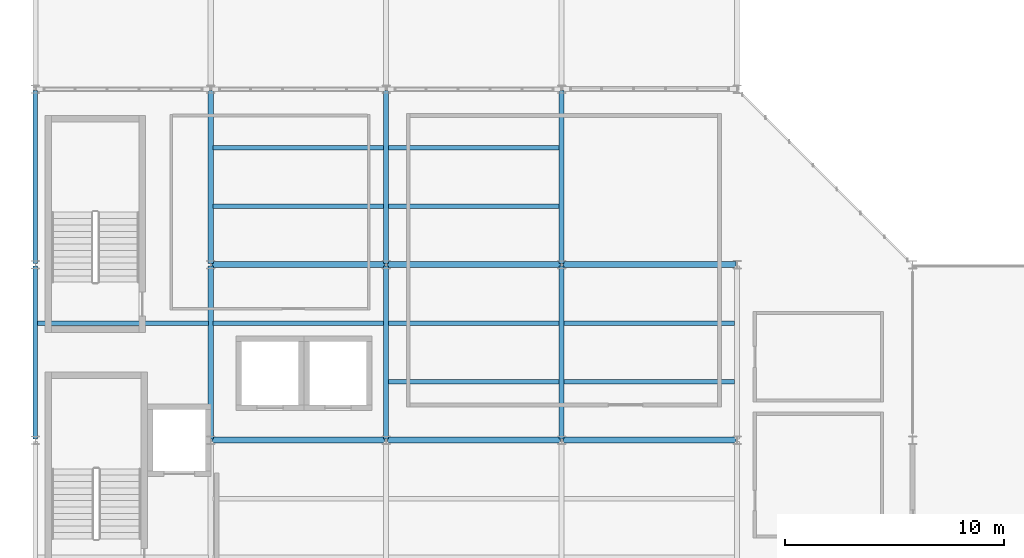
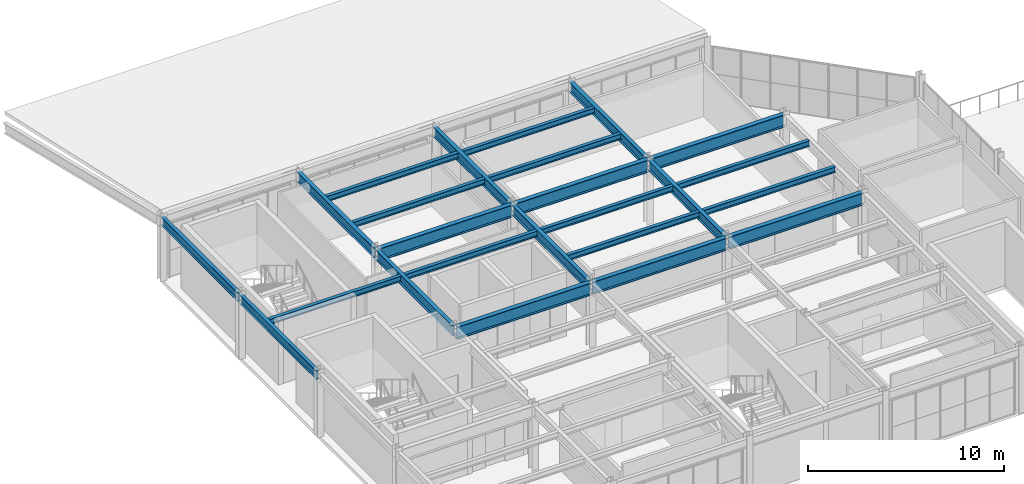
# One storey, part 3 of 27: 24 beams.
"""IFC4 building model written with IfcOpenShell, lengths in metres."""

from ifc_helpers import new_model, si_unit, direction, frame, origin, origin_2d, place, context, subcontext, project, spatial, i_section, extrude, material, material_profile, profile_set, type_object, element, save


model = new_model("IFC4")

# Units and contexts
model_context = context("Model", 3, precision=1e-05, world=origin(), true_north=direction((0.0, 1.0)))
body_context = subcontext(model_context, "Body", "Model", "MODEL_VIEW")
ifc_project = project(units=[si_unit("LENGTHUNIT", "METRE"), si_unit("AREAUNIT", "SQUARE_METRE"), si_unit("VOLUMEUNIT", "CUBIC_METRE"), si_unit("PLANEANGLEUNIT", "RADIAN"), si_unit("MASSUNIT", "GRAM", prefix="KILO")], contexts=[model_context])

# Site, building, storey
site_placement = place(None, origin())
site = spatial("IfcSite", under=ifc_project, at=site_placement, CompositionType="ELEMENT")
building_placement = place(site_placement, origin())
building = spatial("IfcBuilding", under=site, at=building_placement, Name="Drelvath Fold Interchange", CompositionType="ELEMENT")
storey_placement = place(building_placement, frame((0.0, 0.0, 19.800048828125)))
storey = spatial("IfcBuildingStorey", under=building, at=storey_placement, Name="L04", CompositionType="ELEMENT", Elevation=19.800048828125)

# Beams
ifc_material = material(Name="Steel ASTM A992 Grade 50", Category="steel")
ifc_material_profile_1 = material_profile(ifc_material, i_section(OverallWidth=0.205078125, OverallDepth=0.35400390625, WebThickness=0.009521484375, FlangeThickness=0.016845703125, at=origin_2d()), Name="W14X53")
ifc_profile_set_1 = profile_set([ifc_material_profile_1], Name="Steel ASTM A992 Grade 50")
beam_type_1 = type_object("IfcBeamType", Name="BM-W14X53", PredefinedType="JOIST", material=ifc_profile_set_1)
beam_placement = place(storey_placement, frame((4.10302734375, 24.3330078125, 3.807861328125), z_axis=(1.0, 0.0, 0.0), x_axis=(0.0, 1.0, 0.0)))
element("IfcBeam", 1, at=beam_placement, inside=storey, type_object=beam_type_1, Name="L04 Secondary floor joist BM-W14X53", PredefinedType="JOIST", context=body_context, shape_type="SweptSolid", body=[
    extrude(i_section(OverallWidth=0.205078125, OverallDepth=0.35400390625, WebThickness=0.009521484375, FlangeThickness=0.016845703125, at=origin_2d()), origin(), (0.0, 0.0, 1.0), 7.783935546875),
])
for number, where, z_axis, x_axis, name in (
    (2, (12.113037109375, 24.3330078125, 3.807861328125), (1.0, 0.0, 0.0), (0.0, 1.0, 0.0), "L04 Secondary floor joist BM-W14X53"),
    (3, (12.113037109375, 29.6669921875, 3.807861328125), (1.0, 0.0, 0.0), (0.0, 1.0, 0.0), "L04 Secondary floor joist BM-W14X53"),
    (4, (12.113037109375, 32.3330078125, 3.807861328125), (1.0, 0.0, 0.0), (0.0, 1.0, 0.0), "L04 Secondary floor joist BM-W14X53"),
    (5, (20.113037109375, 21.6669921875, 3.807861328125), (1.0, 0.0, 0.0), (0.0, 1.0, 0.0), "L04 Secondary floor joist BM-W14X53"),
    (6, (20.113037109375, 24.3330078125, 3.807861328125), (1.0, 0.0, 0.0), (0.0, 1.0, 0.0), "L04 Secondary floor joist BM-W14X53"),
    (7, (20.113037109375, 29.6669921875, 3.807861328125), (1.0, 0.0, 0.0), (0.0, 1.0, 0.0), "L04 Secondary floor joist BM-W14X53"),
    (8, (20.113037109375, 32.3330078125, 3.807861328125), (1.0, 0.0, 0.0), (0.0, 1.0, 0.0), "L04 Secondary floor joist BM-W14X53"),
    (9, (28.113037109375, 21.6669921875, 3.807861328125), (1.0, 0.0, 0.0), (0.0, 1.0, 0.0), "L04 Secondary floor joist BM-W14X53"),
    (10, (28.113037109375, 24.3330078125, 3.807861328125), (1.0, 0.0, 0.0), (0.0, 1.0, 0.0), "L04 Secondary floor joist BM-W14X53"),
):
    element("IfcBeam", number, at=place(storey_placement, frame(where, z_axis=z_axis, x_axis=x_axis)), inside=storey, type_object=beam_type_1, Name=name, PredefinedType="JOIST", context=body_context, shape_type="SweptSolid", body=[
        extrude(i_section(OverallWidth=0.205078125, OverallDepth=0.35400390625, WebThickness=0.009521484375, FlangeThickness=0.016845703125, at=origin_2d()), origin(), (0.0, 0.0, 1.0), 7.77392578125),
    ])
ifc_material_profile_2 = material_profile(ifc_material, i_section(OverallWidth=0.2099609375, OverallDepth=0.537109375, WebThickness=0.010986328125, FlangeThickness=0.017333984375, at=origin_2d()), Name="W21X68")
ifc_profile_set_2 = profile_set([ifc_material_profile_2], Name="Steel ASTM A992 Grade 50")
beam_type_2 = type_object("IfcBeamType", Name="BM-W21X68", PredefinedType="SPANDREL", material=ifc_profile_set_2)
for number, where, z_axis, x_axis, name in (
    (11, (4.0, 19.06005859375, 3.717041015625), (0.0, 1.0, 0.0), (-1.0, 0.0, 0.0), "L04 Primary Y girder BM-W21X68"),
    (12, (4.0, 27.06005859375, 3.717041015625), (0.0, 1.0, 0.0), (-1.0, 0.0, 0.0), "L04 Primary Y girder BM-W21X68"),
):
    element("IfcBeam", number, at=place(storey_placement, frame(where, z_axis=z_axis, x_axis=x_axis)), inside=storey, type_object=beam_type_2, Name=name, PredefinedType="SPANDREL", context=body_context, shape_type="SweptSolid", body=[
        extrude(i_section(OverallWidth=0.2099609375, OverallDepth=0.537109375, WebThickness=0.010986328125, FlangeThickness=0.017333984375, at=origin_2d()), origin(), (0.0, 0.0, 1.0), 7.8798828125),
    ])
ifc_material_profile_3 = material_profile(ifc_material, i_section(OverallWidth=0.22998046875, OverallDepth=0.616943359375, WebThickness=0.01318359375, FlangeThickness=0.022216796875, at=origin_2d()), Name="W24X94")
ifc_profile_set_3 = profile_set([ifc_material_profile_3], Name="Steel ASTM A992 Grade 50")
beam_type_3 = type_object("IfcBeamType", Name="BM-W24X94", PredefinedType="BEAM", material=ifc_profile_set_3)
for number, where, z_axis, x_axis, name in (
    (13, (12.0, 19.06005859375, 3.677001953125), (0.0, 1.0, 0.0), (-1.0, 0.0, 0.0), "L04 Primary Y girder BM-W24X94"),
    (14, (12.0, 27.06005859375, 3.677001953125), (0.0, 1.0, 0.0), (-1.0, 0.0, 0.0), "L04 Primary Y girder BM-W24X94"),
    (15, (20.0, 19.06005859375, 3.677001953125), (0.0, 1.0, 0.0), (-1.0, 0.0, 0.0), "L04 Primary Y girder BM-W24X94"),
    (16, (20.0, 27.06005859375, 3.677001953125), (0.0, 1.0, 0.0), (-1.0, 0.0, 0.0), "L04 Primary Y girder BM-W24X94"),
    (17, (28.0, 19.06005859375, 3.677001953125), (0.0, 1.0, 0.0), (-1.0, 0.0, 0.0), "L04 Primary Y girder BM-W24X94"),
    (18, (28.0, 27.06005859375, 3.677001953125), (0.0, 1.0, 0.0), (-1.0, 0.0, 0.0), "L04 Primary Y girder BM-W24X94"),
):
    element("IfcBeam", number, at=place(storey_placement, frame(where, z_axis=z_axis, x_axis=x_axis)), inside=storey, type_object=beam_type_3, Name=name, PredefinedType="BEAM", context=body_context, shape_type="SweptSolid", body=[
        extrude(i_section(OverallWidth=0.22998046875, OverallDepth=0.616943359375, WebThickness=0.01318359375, FlangeThickness=0.022216796875, at=origin_2d()), origin(), (0.0, 0.0, 1.0), 7.8798828125),
    ])
ifc_material_profile_4 = material_profile(ifc_material, i_section(OverallWidth=0.26611328125, OverallDepth=0.779052734375, WebThickness=0.0166015625, FlangeThickness=0.030029296875, at=origin_2d()), Name="W30X148")
ifc_profile_set_4 = profile_set([ifc_material_profile_4], Name="Steel ASTM A992 Grade 50")
beam_type_4 = type_object("IfcBeamType", Name="BM-W30X148", PredefinedType="BEAM", material=ifc_profile_set_4)
for number, where, z_axis, x_axis, name in (
    (19, (12.06005859375, 19.0, 3.594970703125), (1.0, 0.0, 0.0), (0.0, 1.0, 0.0), "L04 Primary X girder BM-W30X148"),
    (20, (20.06005859375, 19.0, 3.594970703125), (1.0, 0.0, 0.0), (0.0, 1.0, 0.0), "L04 Primary X girder BM-W30X148"),
    (21, (28.06005859375, 19.0, 3.594970703125), (1.0, 0.0, 0.0), (0.0, 1.0, 0.0), "L04 Primary X girder BM-W30X148"),
    (22, (12.06005859375, 27.0, 3.594970703125), (1.0, 0.0, 0.0), (0.0, 1.0, 0.0), "L04 Primary X girder BM-W30X148"),
    (23, (20.06005859375, 27.0, 3.594970703125), (1.0, 0.0, 0.0), (0.0, 1.0, 0.0), "L04 Primary X girder BM-W30X148"),
    (24, (28.06005859375, 27.0, 3.594970703125), (1.0, 0.0, 0.0), (0.0, 1.0, 0.0), "L04 Primary X girder BM-W30X148"),
):
    element("IfcBeam", number, at=place(storey_placement, frame(where, z_axis=z_axis, x_axis=x_axis)), inside=storey, type_object=beam_type_4, Name=name, PredefinedType="BEAM", context=body_context, shape_type="SweptSolid", body=[
        extrude(i_section(OverallWidth=0.26611328125, OverallDepth=0.779052734375, WebThickness=0.0166015625, FlangeThickness=0.030029296875, at=origin_2d()), origin(), (0.0, 0.0, 1.0), 7.8798828125),
    ])

save(model, "model.ifc")
